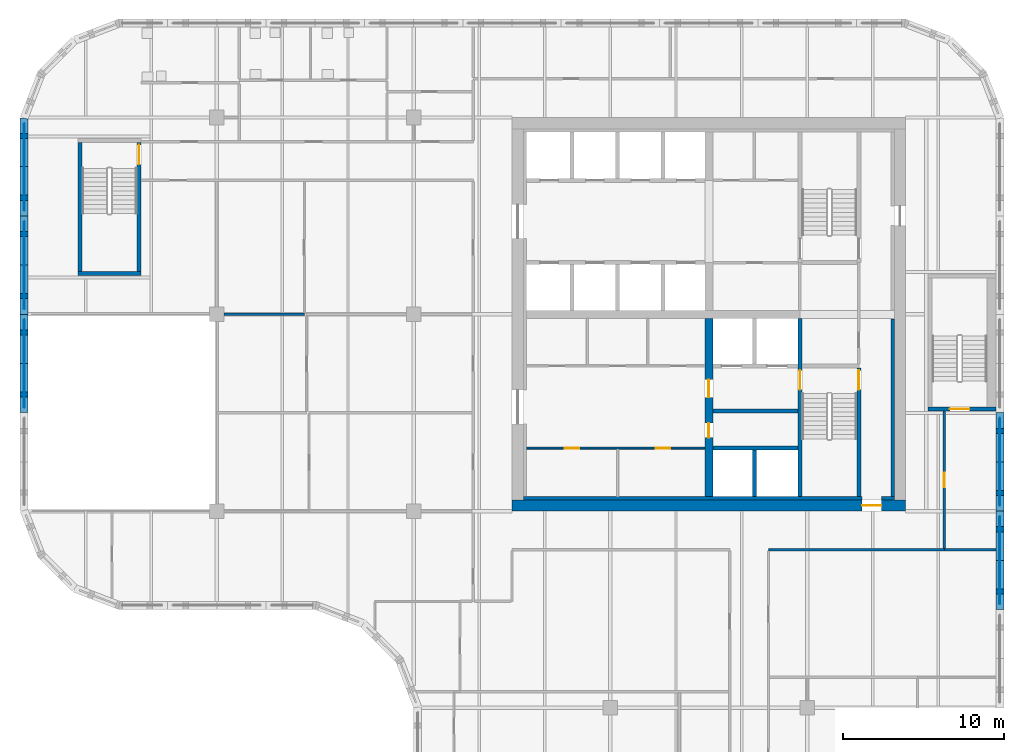
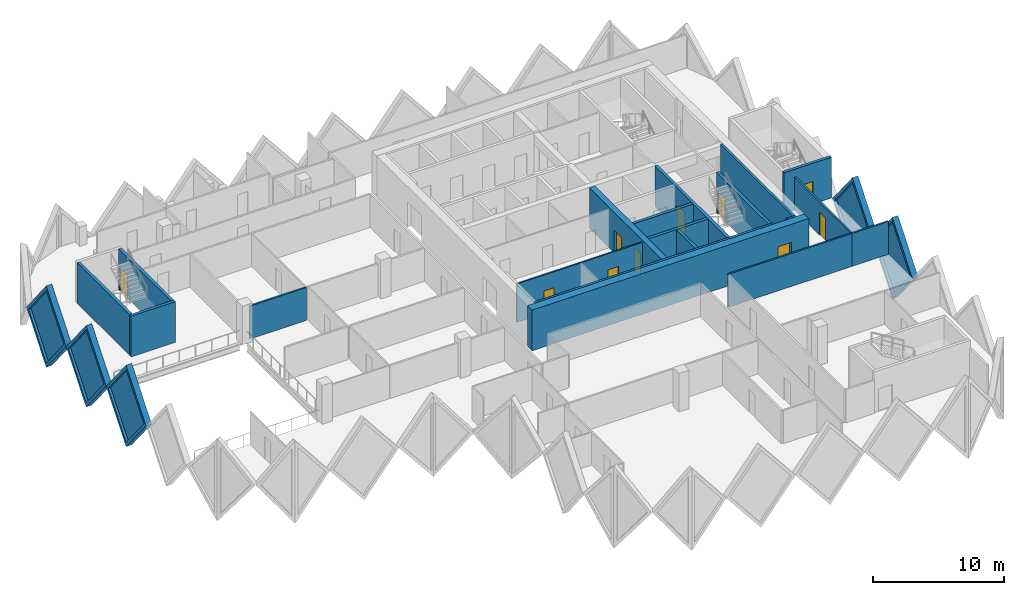
# One storey, part 6 of 13: 24 walls, 10 doors, 5 plates, 15 openings.
"""IFC4 building model written with IfcOpenShell, lengths in metres."""

from ifc_helpers import new_model, si_unit, direction, frame, frame_2d, origin, place, context, subcontext, project, spatial, polyline, rectangle, outline, extrude, faceted_brep, source, transform, mapped, material, layer, layer_set, type_object, element, fill, save


model = new_model("IFC4")

# Units and contexts
model_context = context("Model", 3, precision=1e-05, world=origin(), true_north=direction((0.0, 1.0)))
body_context = subcontext(model_context, "Body", "Model", "MODEL_VIEW")
ifc_project = project(units=[si_unit("LENGTHUNIT", "METRE"), si_unit("AREAUNIT", "SQUARE_METRE"), si_unit("VOLUMEUNIT", "CUBIC_METRE"), si_unit("PLANEANGLEUNIT", "RADIAN"), si_unit("MASSUNIT", "GRAM", prefix="KILO")], contexts=[model_context])

# Site, building, storey
site_placement = place(None, origin())
site = spatial("IfcSite", under=ifc_project, at=site_placement, CompositionType="ELEMENT")
building_placement = place(site_placement, origin())
building = spatial("IfcBuilding", under=site, at=building_placement, Name="Tessera Gate Towers", CompositionType="ELEMENT")
storey_placement = place(building_placement, frame((0.0, 0.0, 120.199951171875)))
storey = spatial("IfcBuildingStorey", under=building, at=storey_placement, Name="L29", CompositionType="ELEMENT", Elevation=120.199951171875)

# Wall, opening, door
ifc_material_1 = material(Name="Concrete C40/50", Category="concrete")
ifc_layer_1 = layer(ifc_material_1, 0.25)
ifc_layer_set_1 = layer_set([ifc_layer_1], Name="CORE ENCLOSURE WALL 250")
wall_type_1 = type_object("IfcWallType", Name="CORE ENCLOSURE WALL 250", PredefinedType="SOLIDWALL", material=ifc_layer_set_1)
wall_1_placement = place(storey_placement, frame((48.35009765625, 36.35009765625, 0.0), z_axis=(0.0, 0.0, 1.0), x_axis=(0.0, -1.0, 0.0)))
wall_1 = element("IfcWall", 1, at=wall_1_placement, inside=storey, type_object=wall_type_1, Name="L29 shaft and stair enclosure wall", PredefinedType="SOLIDWALL", context=body_context, shape_type="SweptSolid", body=[
    extrude(rectangle(XDim=11.050048828125, YDim=0.25, at=frame_2d((5.52490234375, 0.0))), origin(), (0.0, 0.0, 1.0), 3.800048828125),
])
shared_shape_1 = source(origin(), body_context, "Body", "SweptSolid", [
    extrude(rectangle(XDim=1.199951171875, YDim=2.10009765625, at=frame_2d((0.60009765625, 1.050048828125))), frame((0.0, 0.135009765625, 0.0), z_axis=(0.0, -1.0, 0.0), x_axis=(1.0, 0.0, 0.0)), (0.0, 0.0, 1.0), 0.27001953125),
])
opening_1_placement = place(wall_1_placement, frame((3.22509765625, 0.0, 0.0)))
opening_1 = element("IfcOpeningElement", 2, at=opening_1_placement, cuts=wall_1, Name="Opening SD-ST1-1", PredefinedType="OPENING", context=body_context, shape_type="MappedRepresentation", body=[
    mapped(shared_shape_1, transform((0.0, 0.0, 0.0), scale=1.0)),
])
ifc_material_2 = material(Name="Hollow steel fire door", Category="steel")
door_type_1 = type_object("IfcDoorType", Name="CORE DOOR SD 1200x2100", OperationType="NOTDEFINED", PredefinedType="DOOR", material=ifc_material_2)
shared_shape_2 = source(origin(), body_context, "Body", "SweptSolid", [
    extrude(rectangle(XDim=1.199951171875, YDim=2.10009765625, at=frame_2d((0.60009765625, 1.050048828125))), frame((0.0, 0.02490234375, 0.0), z_axis=(0.0, -1.0, 0.0), x_axis=(1.0, 0.0, 0.0)), (0.0, 0.0, 1.0), 0.050048828125),
])
door_1_placement = place(opening_1_placement, origin())
door_1 = element("IfcDoor", 3, at=door_1_placement, inside=storey, type_object=door_type_1, Name="Stair door", OperationType="SINGLE_SWING_LEFT", OverallHeight=2.10009765625, OverallWidth=1.199951171875, PredefinedType="DOOR", context=body_context, shape_type="MappedRepresentation", body=[
    mapped(shared_shape_2, transform((0.0, 0.0, 0.0), scale=1.0)),
])
fill(opening_1, door_1)

wall_2_placement = place(storey_placement, frame((52.0, 25.300048828125, 0.0), z_axis=(0.0, 0.0, 1.0), x_axis=(0.0, 1.0, 0.0)))
wall_2 = element("IfcWall", 4, at=wall_2_placement, inside=storey, type_object=wall_type_1, Name="L29 shaft and stair enclosure wall", PredefinedType="SOLIDWALL", context=body_context, shape_type="SweptSolid", body=[
    extrude(rectangle(XDim=7.974853515625, YDim=0.25, at=frame_2d((3.9873046875, 0.0))), origin(), (0.0, 0.0, 1.0), 3.800048828125),
])
opening_2_placement = place(wall_2_placement, frame((6.625, 0.0, 0.0)))
opening_2 = element("IfcOpeningElement", 5, at=opening_2_placement, cuts=wall_2, Name="Opening SD-ST1-2", PredefinedType="OPENING", context=body_context, shape_type="MappedRepresentation", body=[
    mapped(shared_shape_1, transform((0.0, 0.0, 0.0), scale=1.0)),
])
door_2_placement = place(opening_2_placement, origin())
door_2 = element("IfcDoor", 6, at=door_2_placement, inside=storey, type_object=door_type_1, Name="Stair door", OperationType="SINGLE_SWING_RIGHT", OverallHeight=2.10009765625, OverallWidth=1.199951171875, PredefinedType="DOOR", context=body_context, shape_type="MappedRepresentation", body=[
    mapped(shared_shape_2, transform((0.0, 0.0, 0.0), scale=1.0)),
])
fill(opening_2, door_2)

# Walls
for number, where, z_axis, x_axis, name in (
    (7, (42.949951171875, 28.300048828125, 0.0), (0.0, 0.0, 1.0), (1.0, 0.0, 0.0), "L29 shaft and stair enclosure wall"),
    (8, (42.949951171875, 30.60009765625, 0.0), (0.0, 0.0, 1.0), (1.0, 0.0, 0.0), "L29 shaft and stair enclosure wall"),
):
    element("IfcWall", number, at=place(storey_placement, frame(where, z_axis=z_axis, x_axis=x_axis)), inside=storey, type_object=wall_type_1, Name=name, PredefinedType="SOLIDWALL", context=body_context, shape_type="SweptSolid", body=[
        extrude(rectangle(XDim=5.275146484375, YDim=0.25, at=frame_2d((2.6376953125, 0.0))), origin(), (0.0, 0.0, 1.0), 3.800048828125),
    ])
wall_3_placement = place(storey_placement, frame((45.52490234375, 25.300048828125, 0.0), z_axis=(0.0, 0.0, 1.0), x_axis=(0.0, 1.0, 0.0)))
element("IfcWall", 9, at=wall_3_placement, inside=storey, type_object=wall_type_1, Name="L29 shaft and stair enclosure wall", PredefinedType="SOLIDWALL", context=body_context, shape_type="SweptSolid", body=[
    extrude(rectangle(XDim=2.875, YDim=0.25, at=frame_2d((1.4375, 0.0))), origin(), (0.0, 0.0, 1.0), 3.800048828125),
])
wall_4_placement = place(storey_placement, frame((7.5, 39.125, 0.0), z_axis=(0.0, 0.0, 1.0), x_axis=(-1.0, 0.0, 0.0)))
element("IfcWall", 10, at=wall_4_placement, inside=storey, type_object=wall_type_1, Name="L29 ST3 enclosure wall", PredefinedType="SOLIDWALL", context=body_context, shape_type="SweptSolid", body=[
    extrude(rectangle(XDim=3.89990234375, YDim=0.25, at=frame_2d((1.949951171875, 0.0))), origin(), (0.0, 0.0, 1.0), 3.800048828125),
])
wall_5_placement = place(storey_placement, frame((3.72509765625, 39.25, 0.0), z_axis=(0.0, 0.0, 1.0), x_axis=(0.0, 1.0, 0.0)))
element("IfcWall", 11, at=wall_5_placement, inside=storey, type_object=wall_type_1, Name="L29 ST3 enclosure wall", PredefinedType="SOLIDWALL", context=body_context, shape_type="SweptSolid", body=[
    extrude(rectangle(XDim=8.0, YDim=0.25, at=frame_2d((4.0, 0.0))), origin(), (0.0, 0.0, 1.0), 3.800048828125),
])

# Wall, opening, door
wall_6_placement = place(storey_placement, frame((7.375, 47.25, 0.0), z_axis=(0.0, 0.0, 1.0), x_axis=(0.0, -1.0, 0.0)))
wall_6 = element("IfcWall", 12, at=wall_6_placement, inside=storey, type_object=wall_type_1, Name="L29 ST3 enclosure wall", PredefinedType="SOLIDWALL", context=body_context, shape_type="SweptSolid", body=[
    extrude(rectangle(XDim=8.0, YDim=0.25, at=frame_2d((4.0, 0.0))), origin(), (0.0, 0.0, 1.0), 3.800048828125),
])
opening_3_placement = place(wall_6_placement, frame((0.14990234375, 0.0, 0.0)))
opening_3 = element("IfcOpeningElement", 13, at=opening_3_placement, cuts=wall_6, Name="Opening SD-ST3-1", PredefinedType="OPENING", context=body_context, shape_type="MappedRepresentation", body=[
    mapped(shared_shape_1, transform((0.0, 0.0, 0.0), scale=1.0)),
])
door_3_placement = place(opening_3_placement, origin())
door_3 = element("IfcDoor", 14, at=door_3_placement, inside=storey, type_object=door_type_1, Name="Stair door", OperationType="SINGLE_SWING_LEFT", OverallHeight=2.10009765625, OverallWidth=1.199951171875, PredefinedType="DOOR", context=body_context, shape_type="MappedRepresentation", body=[
    mapped(shared_shape_2, transform((0.0, 0.0, 0.0), scale=1.0)),
])
fill(opening_3, door_3)

wall_7_placement = place(storey_placement, frame((60.5, 30.72509765625, 0.0), z_axis=(0.0, 0.0, 1.0), x_axis=(-1.0, 0.0, 0.0)))
wall_7 = element("IfcWall", 15, at=wall_7_placement, inside=storey, type_object=wall_type_1, Name="L29 ST5 enclosure wall", PredefinedType="SOLIDWALL", context=body_context, shape_type="SweptSolid", body=[
    extrude(rectangle(XDim=4.199951171875, YDim=0.25, at=frame_2d((2.10009765625, 0.0))), origin(), (0.0, 0.0, 1.0), 3.800048828125),
])
opening_4_placement = place(wall_7_placement, frame((1.64990234375, 0.0, 0.0)))
opening_4 = element("IfcOpeningElement", 16, at=opening_4_placement, cuts=wall_7, Name="Opening SD-ST5-1", PredefinedType="OPENING", context=body_context, shape_type="MappedRepresentation", body=[
    mapped(shared_shape_1, transform((0.0, 0.0, 0.0), scale=1.0)),
])
door_4_placement = place(opening_4_placement, origin())
door_4 = element("IfcDoor", 17, at=door_4_placement, inside=storey, type_object=door_type_1, Name="Stair door", OperationType="SINGLE_SWING_RIGHT", OverallHeight=2.10009765625, OverallWidth=1.199951171875, PredefinedType="DOOR", context=body_context, shape_type="MappedRepresentation", body=[
    mapped(shared_shape_2, transform((0.0, 0.0, 0.0), scale=1.0)),
])
fill(opening_4, door_4)

# Wall, openings, doors
ifc_material_3 = material(Name="Gypsum board on steel studs", Category="steel")
ifc_layer_2 = layer(ifc_material_3, 0.1201171875)
ifc_layer_set_2 = layer_set([ifc_layer_2], Name="CORE PARTITION 120")
wall_type_2 = type_object("IfcWallType", Name="CORE PARTITION 120", PredefinedType="PARTITIONING", material=ifc_layer_set_2)
wall_8_placement = place(storey_placement, frame((42.449951171875, 28.300048828125, 0.0), z_axis=(0.0, 0.0, 1.0), x_axis=(-1.0, 0.0, 0.0)))
wall_8 = element("IfcWall", 18, at=wall_8_placement, inside=storey, type_object=wall_type_2, Name="L29 core partition", PredefinedType="PARTITIONING", context=body_context, shape_type="SweptSolid", body=[
    extrude(rectangle(XDim=11.050048828125, YDim=0.1201171875, at=frame_2d((5.52490234375, 0.0))), origin(), (0.0, 0.0, 1.0), 3.60009765625),
])
shared_shape_3 = source(origin(), body_context, "Body", "SweptSolid", [
    extrude(rectangle(XDim=0.89990234375, YDim=2.10009765625, at=frame_2d((0.449951171875, 1.050048828125))), frame((0.0, 0.070068359375, 0.0), z_axis=(0.0, -1.0, 0.0), x_axis=(1.0, 0.0, 0.0)), (0.0, 0.0, 1.0), 0.14013671875),
])
opening_5_placement = place(wall_8_placement, frame((7.77490234375, 0.0, 0.0)))
opening_5 = element("IfcOpeningElement", 19, at=opening_5_placement, cuts=wall_8, Name="Opening RD-T1-21-07", PredefinedType="OPENING", context=body_context, shape_type="MappedRepresentation", body=[
    mapped(shared_shape_3, transform((0.0, 0.0, 0.0), scale=1.0)),
])
opening_6_placement = place(wall_8_placement, frame((2.125, 0.0, 0.0)))
opening_6 = element("IfcOpeningElement", 20, at=opening_6_placement, cuts=wall_8, Name="Opening RD-T1-21-08", PredefinedType="OPENING", context=body_context, shape_type="MappedRepresentation", body=[
    mapped(shared_shape_3, transform((0.0, 0.0, 0.0), scale=1.0)),
])
ifc_material_4 = material(Name="Hollow steel fire door", Category="steel")
door_type_2 = type_object("IfcDoorType", Name="CORE DOOR RD 900x2100", OperationType="NOTDEFINED", PredefinedType="DOOR", material=ifc_material_4)
shared_shape_4 = source(origin(), body_context, "Body", "SweptSolid", [
    extrude(rectangle(XDim=0.89990234375, YDim=2.10009765625, at=frame_2d((0.449951171875, 1.050048828125))), frame((0.0, 0.02490234375, 0.0), z_axis=(0.0, -1.0, 0.0), x_axis=(1.0, 0.0, 0.0)), (0.0, 0.0, 1.0), 0.050048828125),
])
door_5_placement = place(opening_5_placement, origin())
door_5 = element("IfcDoor", 21, at=door_5_placement, inside=storey, type_object=door_type_2, Name="Core room door", OperationType="SINGLE_SWING_RIGHT", OverallHeight=2.10009765625, OverallWidth=0.89990234375, PredefinedType="DOOR", context=body_context, shape_type="MappedRepresentation", body=[
    mapped(shared_shape_4, transform((0.0, 0.0, 0.0), scale=1.0)),
])
fill(opening_5, door_5)
door_6_placement = place(opening_6_placement, origin())
door_6 = element("IfcDoor", 22, at=door_6_placement, inside=storey, type_object=door_type_2, Name="Core room door", OperationType="SINGLE_SWING_LEFT", OverallHeight=2.10009765625, OverallWidth=0.89990234375, PredefinedType="DOOR", context=body_context, shape_type="MappedRepresentation", body=[
    mapped(shared_shape_4, transform((0.0, 0.0, 0.0), scale=1.0)),
])
fill(opening_6, door_6)

# Wall, opening, door
ifc_material_5 = material(Name="Concrete C60/75", Category="concrete")
ifc_layer_3 = layer(ifc_material_5, 0.699951171875)
ifc_layer_set_3 = layer_set([ifc_layer_3], Name="CORE SHEAR WALL 700 C60/75")
wall_type_3 = type_object("IfcWallType", Name="CORE SHEAR WALL 700 C60/75", PredefinedType="SHEAR", material=ifc_layer_set_3)
wall_9_placement = place(storey_placement, frame((54.89990234375, 24.75, 0.0), z_axis=(0.0, 0.0, 1.0), x_axis=(-1.0, 0.0, 0.0)))
wall_9 = element("IfcWall", 23, at=wall_9_placement, inside=storey, type_object=wall_type_3, Name="Core wall S L29", PredefinedType="SHEAR", context=body_context, shape_type="SweptSolid", body=[
    extrude(rectangle(XDim=24.39990234375, YDim=0.699951171875, at=frame_2d((12.199951171875, 0.0))), origin(), (0.0, 0.0, 1.0), 3.800048828125),
])
shared_shape_5 = source(origin(), body_context, "Body", "SweptSolid", [
    extrude(rectangle(XDim=1.199951171875, YDim=2.10009765625, at=frame_2d((0.60009765625, 1.050048828125))), frame((0.0, 0.35986328125, 0.0), z_axis=(0.0, -1.0, 0.0), x_axis=(1.0, 0.0, 0.0)), (0.0, 0.0, 1.0), 0.719970703125),
])
opening_7_placement = place(wall_9_placement, frame((1.5, 0.0, 0.0)))
opening_7 = element("IfcOpeningElement", 24, at=opening_7_placement, cuts=wall_9, Name="Opening ED-T1-21-01", PredefinedType="OPENING", context=body_context, shape_type="MappedRepresentation", body=[
    mapped(shared_shape_5, transform((0.0, 0.0, 0.0), scale=1.0)),
])
ifc_material_6 = material(Name="Hollow steel fire door", Category="steel")
door_type_3 = type_object("IfcDoorType", Name="CORE DOOR ED 1200x2100", OperationType="NOTDEFINED", PredefinedType="DOOR", material=ifc_material_6)
door_7_placement = place(opening_7_placement, origin())
door_7 = element("IfcDoor", 25, at=door_7_placement, inside=storey, type_object=door_type_3, Name="Core exit door", OperationType="SINGLE_SWING_LEFT", OverallHeight=2.10009765625, OverallWidth=1.199951171875, PredefinedType="DOOR", context=body_context, shape_type="MappedRepresentation", body=[
    mapped(shared_shape_2, transform((0.0, 0.0, 0.0), scale=1.0)),
])
fill(opening_7, door_7)

# Wall, openings, doors
ifc_material_7 = material(Name="Concrete C60/75", Category="concrete")
ifc_layer_4 = layer(ifc_material_7, 0.5)
ifc_layer_set_4 = layer_set([ifc_layer_4], Name="CORE SPINE WALL 500 C60/75")
wall_type_4 = type_object("IfcWallType", Name="CORE SPINE WALL 500 C60/75", PredefinedType="SHEAR", material=ifc_layer_set_4)
wall_10_placement = place(storey_placement, frame((42.699951171875, 36.35009765625, 0.0), z_axis=(0.0, 0.0, 1.0), x_axis=(0.0, -1.0, 0.0)))
wall_10 = element("IfcWall", 26, at=wall_10_placement, inside=storey, type_object=wall_type_4, Name="Core wall spine L29", PredefinedType="SHEAR", context=body_context, shape_type="SweptSolid", body=[
    extrude(rectangle(XDim=11.050048828125, YDim=0.5, at=frame_2d((5.52490234375, 0.0))), origin(), (0.0, 0.0, 1.0), 3.800048828125),
])
shared_shape_6 = source(origin(), body_context, "Body", "SweptSolid", [
    extrude(rectangle(XDim=0.89990234375, YDim=2.10009765625, at=frame_2d((0.449951171875, 1.050048828125))), frame((0.0, 0.260009765625, 0.0), z_axis=(0.0, -1.0, 0.0), x_axis=(1.0, 0.0, 0.0)), (0.0, 0.0, 1.0), 0.52001953125),
])
opening_8_placement = place(wall_10_placement, frame((6.5, 0.0, 0.0)))
opening_8 = element("IfcOpeningElement", 27, at=opening_8_placement, cuts=wall_10, Name="Opening RD-T1-21-05", PredefinedType="OPENING", context=body_context, shape_type="MappedRepresentation", body=[
    mapped(shared_shape_6, transform((0.0, 0.0, 0.0), scale=1.0)),
])
shared_shape_7 = source(origin(), body_context, "Body", "SweptSolid", [
    extrude(rectangle(XDim=1.10009765625, YDim=2.10009765625, at=frame_2d((0.550048828125, 1.050048828125))), frame((0.0, 0.260009765625, 0.0), z_axis=(0.0, -1.0, 0.0), x_axis=(1.0, 0.0, 0.0)), (0.0, 0.0, 1.0), 0.52001953125),
])
opening_9_placement = place(wall_10_placement, frame((3.800048828125, 0.0, 0.0)))
opening_9 = element("IfcOpeningElement", 28, at=opening_9_placement, cuts=wall_10, Name="Opening FD-T1-21-06", PredefinedType="OPENING", context=body_context, shape_type="MappedRepresentation", body=[
    mapped(shared_shape_7, transform((0.0, 0.0, 0.0), scale=1.0)),
])
door_8_placement = place(opening_8_placement, origin())
door_8 = element("IfcDoor", 29, at=door_8_placement, inside=storey, type_object=door_type_2, Name="Core room door", OperationType="SINGLE_SWING_RIGHT", OverallHeight=2.10009765625, OverallWidth=0.89990234375, PredefinedType="DOOR", context=body_context, shape_type="MappedRepresentation", body=[
    mapped(shared_shape_4, transform((0.0, 0.0, 0.0), scale=1.0)),
])
fill(opening_8, door_8)
ifc_material_8 = material(Name="Hollow steel fire door", Category="steel")
door_type_4 = type_object("IfcDoorType", Name="CORE DOOR FD 1100x2100", OperationType="NOTDEFINED", PredefinedType="DOOR", material=ifc_material_8)
shared_shape_8 = source(origin(), body_context, "Body", "SweptSolid", [
    extrude(rectangle(XDim=1.10009765625, YDim=2.10009765625, at=frame_2d((0.550048828125, 1.050048828125))), frame((0.0, 0.02490234375, 0.0), z_axis=(0.0, -1.0, 0.0), x_axis=(1.0, 0.0, 0.0)), (0.0, 0.0, 1.0), 0.050048828125),
])
door_9_placement = place(opening_9_placement, origin())
door_9 = element("IfcDoor", 30, at=door_9_placement, inside=storey, type_object=door_type_4, Name="Fire-fighting lobby door", OperationType="SINGLE_SWING_LEFT", OverallHeight=2.10009765625, OverallWidth=1.10009765625, PredefinedType="DOOR", context=body_context, shape_type="MappedRepresentation", body=[
    mapped(shared_shape_8, transform((0.0, 0.0, 0.0), scale=1.0)),
])
fill(opening_9, door_9)

# Walls
ifc_material_9 = material(Name="Concrete C60/75", Category="concrete")
ifc_layer_5 = layer(ifc_material_9, 0.199951171875)
ifc_layer_set_5 = layer_set([ifc_layer_5], Name="CORE WALL THICKENING 200")
wall_type_5 = type_object("IfcWallType", Name="CORE WALL THICKENING 200", PredefinedType="SOLIDWALL", material=ifc_layer_set_5)
wall_11_placement = place(storey_placement, frame((31.199951171875, 25.199951171875, 0.0), z_axis=(0.0, 0.0, 1.0), x_axis=(1.0, 0.0, 0.0)))
element("IfcWall", 31, at=wall_11_placement, inside=storey, type_object=wall_type_5, Name="Core wall thickening S L29", PredefinedType="SOLIDWALL", context=body_context, shape_type="SweptSolid", body=[
    extrude(rectangle(XDim=21.0, YDim=0.199951171875, at=frame_2d((10.5, 0.0))), origin(), (0.0, 0.0, 1.0), 3.800048828125),
])
wall_12_placement = place(storey_placement, frame((53.39990234375, 25.199951171875, 0.0), z_axis=(0.0, 0.0, 1.0), x_axis=(1.0, 0.0, 0.0)))
element("IfcWall", 32, at=wall_12_placement, inside=storey, type_object=wall_type_5, Name="Core wall thickening S L29", PredefinedType="SOLIDWALL", context=body_context, shape_type="SweptSolid", body=[
    extrude(rectangle(XDim=0.800048828125, YDim=0.199951171875, at=frame_2d((0.39990234375, 0.0))), origin(), (0.0, 0.0, 1.0), 3.800048828125),
])
wall_13_placement = place(storey_placement, frame((54.10009765625, 25.300048828125, 0.0), z_axis=(0.0, 0.0, 1.0), x_axis=(0.0, 1.0, 0.0)))
element("IfcWall", 33, at=wall_13_placement, inside=storey, type_object=wall_type_5, Name="Core wall thickening E L29", PredefinedType="SOLIDWALL", context=body_context, shape_type="SweptSolid", body=[
    extrude(rectangle(XDim=11.02001953125, YDim=0.199951171875, at=frame_2d((5.510009765625, 0.0))), origin(), (0.0, 0.0, 1.0), 3.800048828125),
])
ifc_material_10 = material(Name="Gypsum board on steel studs, mineral wool", Category="steel")
ifc_layer_6 = layer(ifc_material_10, 0.14990234375)
ifc_layer_set_6 = layer_set([ifc_layer_6], Name="CORRIDOR WALL 150")
wall_type_6 = type_object("IfcWallType", Name="CORRIDOR WALL 150", PredefinedType="PARTITIONING", material=ifc_layer_set_6)
wall_14_placement = place(storey_placement, frame((46.39990234375, 22.0, 0.0), z_axis=(0.0, 0.0, 1.0), x_axis=(1.0, 0.0, 0.0)))
element("IfcWall", 34, at=wall_14_placement, inside=storey, type_object=wall_type_6, Name="T1-L29-PW-026", PredefinedType="PARTITIONING", context=body_context, shape_type="SweptSolid", body=[
    extrude(rectangle(XDim=10.900146484375, YDim=0.14990234375, at=frame_2d((5.4501953125, 0.0))), origin(), (0.0, 0.0, 1.0), 3.067138671875),
])

# Wall, opening, door
wall_15_placement = place(storey_placement, frame((57.300048828125, 30.60009765625, 0.0), z_axis=(0.0, 0.0, 1.0), x_axis=(0.0, -1.0, 0.0)))
wall_15 = element("IfcWall", 35, at=wall_15_placement, inside=storey, type_object=wall_type_6, Name="T1-L29-PW-028", PredefinedType="PARTITIONING", context=body_context, shape_type="SweptSolid", body=[
    extrude(rectangle(XDim=8.524169921875, YDim=0.14990234375, at=frame_2d((4.26220703125, 0.0))), origin(), (0.0, 0.0, 1.0), 3.067138671875),
])
shared_shape_9 = source(origin(), body_context, "Body", "SweptSolid", [
    extrude(rectangle(XDim=0.89990234375, YDim=2.10009765625, at=frame_2d((0.449951171875, 1.050048828125))), frame((0.0, 0.0849609375, 0.0), z_axis=(0.0, -1.0, 0.0), x_axis=(1.0, 0.0, 0.0)), (0.0, 0.0, 1.0), 0.169921875),
])
opening_10_placement = place(wall_15_placement, frame((3.823974609375, 0.0, 0.0)))
opening_10 = element("IfcOpeningElement", 36, at=opening_10_placement, cuts=wall_15, Name="Opening D890FD60-A10-05", PredefinedType="OPENING", context=body_context, shape_type="MappedRepresentation", body=[
    mapped(shared_shape_9, transform((0.0, 0.0, 0.0), scale=1.0)),
])
ifc_material_11 = material(Name="Timber door leaf in steel frame", Category="steel")
door_type_5 = type_object("IfcDoorType", Name="CORRIDOR DOOR 900 FD60", OperationType="NOTDEFINED", PredefinedType="DOOR", material=ifc_material_11)
door_10_placement = place(opening_10_placement, origin())
door_10 = element("IfcDoor", 37, at=door_10_placement, inside=storey, type_object=door_type_5, Name="T1-L29-PD-021", OperationType="SINGLE_SWING_RIGHT", OverallHeight=2.10009765625, OverallWidth=0.89990234375, PredefinedType="DOOR", context=body_context, shape_type="MappedRepresentation", body=[
    mapped(shared_shape_4, transform((0.0, 0.0, 0.0), scale=1.0)),
])
fill(opening_10, door_10)

# Walls
ifc_material_12 = material(Name="Gypsum board on steel studs, mineral wool", Category="steel")
ifc_layer_7 = layer(ifc_material_12, 0.14990234375)
ifc_layer_set_7 = layer_set([ifc_layer_7], Name="TENANCY WALL 150")
wall_type_7 = type_object("IfcWallType", Name="TENANCY WALL 150", PredefinedType="PARTITIONING", material=ifc_layer_set_7)
wall_16_placement = place(storey_placement, frame((57.301025390625, 22.0, 0.0), z_axis=(0.0, 0.0, 1.0), x_axis=(1.0, 0.0, 0.0)))
element("IfcWall", 38, at=wall_16_placement, inside=storey, type_object=wall_type_7, Name="T1-L29-PW-027", PredefinedType="PARTITIONING", context=body_context, shape_type="SweptSolid", body=[
    extrude(rectangle(XDim=3.198974609375, YDim=0.14990234375, at=frame_2d((1.599609375, 0.0))), origin(), (0.0, 0.0, 1.0), 3.067138671875),
])
wall_17_placement = place(storey_placement, frame((12.65087890625, 36.60009765625, 0.0), z_axis=(0.0, 0.0, 1.0), x_axis=(1.0, 0.0, 0.0)))
element("IfcWall", 39, at=wall_17_placement, inside=storey, type_object=wall_type_7, Name="T1-L29-PW-036", PredefinedType="PARTITIONING", context=body_context, shape_type="SweptSolid", body=[
    extrude(rectangle(XDim=4.97412109375, YDim=0.14990234375, at=frame_2d((2.487060546875, 0.0))), origin(), (0.0, 0.0, 1.0), 3.067138671875),
])

# Wall, opening, plate
ifc_material_13 = material(Name="Precast concrete C60/75 white", Category="concrete")
ifc_layer_8 = layer(ifc_material_13, 0.5)
ifc_layer_set_8 = layer_set([ifc_layer_8], Name="TS1 tessera")
wall_type_8 = type_object("IfcWallType", Name="TS1 tessera", PredefinedType="SOLIDWALL", material=ifc_layer_set_8)
shared_shape_10 = source(origin(), body_context, "Body", "Brep", [
    faceted_brep([(3.00341796875, -0.25, 0.0), (6.053466796875, -0.25, 3.800048828125), (3.00341796875, -0.25, 7.60009765625), (0.0, -0.25, 3.800048828125), (0.046630859375, 0.25, 3.85888671875), (3.00341796875, 0.25, 7.60009765625), (6.053466796875, 0.25, 3.800048828125), (3.00341796875, 0.25, 0.0), (0.046630859375, 0.25, 3.7412109375), (0.0, 0.0, 3.800048828125)], [[[0, 1, 2, 3]], [[4, 5, 6, 7, 8]], [[7, 6, 1, 0]], [[6, 5, 2, 1]], [[5, 4, 9, 3, 2]], [[8, 7, 0, 3, 9]], [[8, 9, 4]]]),
])
wall_18_placement = place(storey_placement, frame((0.25, 48.75341796875, -3.800048828125), z_axis=(0.0, 0.0, 1.0), x_axis=(0.0, -1.0, 0.0)))
wall_18 = element("IfcWall", 40, at=wall_18_placement, inside=storey, type_object=wall_type_8, Name="Precast tessera T1 TS1-0477", PredefinedType="SOLIDWALL", context=body_context, shape_type="MappedRepresentation", body=[
    mapped(shared_shape_10, transform((0.0, 0.0, 0.0), scale=1.0)),
])
shared_shape_11 = source(origin(), body_context, "Body", "SweptSolid", [
    extrude(outline(polyline([(3.0048828125, 0.4013671875), (5.73291015625, 3.800048828125), (3.0048828125, 7.19873046875), (0.318603515625, 3.800048828125), (3.0048828125, 0.4013671875)])), frame((0.0, 0.260009765625, 0.0), z_axis=(0.0, -1.0, 0.0), x_axis=(1.0, 0.0, 0.0)), (0.0, 0.0, 1.0), 0.52001953125),
])
opening_11_placement = place(wall_18_placement, origin())
opening_11 = element("IfcOpeningElement", 41, at=opening_11_placement, cuts=wall_18, Name="Opening T1-PL2-0971", PredefinedType="OPENING", context=body_context, shape_type="MappedRepresentation", body=[
    mapped(shared_shape_11, transform((0.0, 0.0, 0.0), scale=1.0)),
])
ifc_material_14 = material(Name="Low-e laminated glass", Category="glass")
ifc_layer_9 = layer(ifc_material_14, 0.06005859375)
ifc_layer_set_9 = layer_set([ifc_layer_9], Name="PL2 rhombic pane")
plate_type = type_object("IfcPlateType", Name="PL2 rhombic pane", PredefinedType="SHEET", material=ifc_layer_set_9)
shared_shape_12 = source(origin(), body_context, "Body", "SweptSolid", [
    extrude(outline(polyline([(3.0048828125, 0.4013671875), (5.73291015625, 3.800048828125), (3.0048828125, 7.19873046875), (0.318603515625, 3.800048828125), (3.0048828125, 0.4013671875)])), frame((0.0, 0.030029296875, 0.0), z_axis=(0.0, -1.0, 0.0), x_axis=(1.0, 0.0, 0.0)), (0.0, 0.0, 1.0), 0.06005859375),
])
plate_1_placement = place(opening_11_placement, origin())
plate_1 = element("IfcPlate", 42, at=plate_1_placement, inside=storey, type_object=plate_type, Name="Glass pane T1 PL2-0971", PredefinedType="SHEET", context=body_context, shape_type="MappedRepresentation", body=[
    mapped(shared_shape_12, transform((0.0, 0.0, 0.0), scale=1.0)),
])
fill(opening_11, plate_1)

shared_shape_13 = source(origin(), body_context, "Body", "Brep", [
    faceted_brep([(3.050048828125, -0.25, 0.0), (6.099853515625, -0.25, 3.7998046875), (6.099853515625, -0.25, 3.80029296875), (3.050048828125, -0.25, 7.60009765625), (0.0, -0.25, 3.800048828125), (0.0, 0.25, 3.800048828125), (3.050048828125, 0.25, 7.60009765625), (6.099853515625, 0.25, 3.80029296875), (6.099853515625, 0.25, 3.7998046875), (3.050048828125, 0.25, 0.0)], [[[0, 1, 2, 3, 4]], [[5, 6, 7, 8, 9]], [[9, 8, 1, 0]], [[7, 6, 3, 2]], [[6, 5, 4, 3]], [[5, 9, 0, 4]], [[1, 8, 7, 2]]]),
])
wall_19_placement = place(storey_placement, frame((60.75, 18.300048828125, -3.800048828125), z_axis=(0.0, 0.0, 1.0), x_axis=(0.0, 1.0, 0.0)))
wall_19 = element("IfcWall", 43, at=wall_19_placement, inside=storey, type_object=wall_type_8, Name="Precast tessera T1 TS1-0465", PredefinedType="SOLIDWALL", context=body_context, shape_type="MappedRepresentation", body=[
    mapped(shared_shape_13, transform((0.0, 0.0, 0.0), scale=1.0)),
])
shared_shape_14 = source(origin(), body_context, "Body", "SweptSolid", [
    extrude(outline(polyline([(3.050048828125, 0.3994140625), (5.779541015625, 3.800048828125), (3.050048828125, 7.20068359375), (0.320556640625, 3.800048828125), (3.050048828125, 0.3994140625)])), frame((0.0, 0.260009765625, 0.0), z_axis=(0.0, -1.0, 0.0), x_axis=(1.0, 0.0, 0.0)), (0.0, 0.0, 1.0), 0.52001953125),
])
opening_12_placement = place(wall_19_placement, origin())
opening_12 = element("IfcOpeningElement", 44, at=opening_12_placement, cuts=wall_19, Name="Opening T1-PL2-0951", PredefinedType="OPENING", context=body_context, shape_type="MappedRepresentation", body=[
    mapped(shared_shape_14, transform((0.0, 0.0, 0.0), scale=1.0)),
])
shared_shape_15 = source(origin(), body_context, "Body", "SweptSolid", [
    extrude(outline(polyline([(3.050048828125, 0.3994140625), (5.779541015625, 3.800048828125), (3.050048828125, 7.20068359375), (0.320556640625, 3.800048828125), (3.050048828125, 0.3994140625)])), frame((0.0, 0.030029296875, 0.0), z_axis=(0.0, -1.0, 0.0), x_axis=(1.0, 0.0, 0.0)), (0.0, 0.0, 1.0), 0.06005859375),
])
plate_2_placement = place(opening_12_placement, origin())
plate_2 = element("IfcPlate", 45, at=plate_2_placement, inside=storey, type_object=plate_type, Name="Glass pane T1 PL2-0951", PredefinedType="SHEET", context=body_context, shape_type="MappedRepresentation", body=[
    mapped(shared_shape_15, transform((0.0, 0.0, 0.0), scale=1.0)),
])
fill(opening_12, plate_2)

wall_20_placement = place(storey_placement, frame((0.25, 42.699951171875, -3.800048828125), z_axis=(0.0, 0.0, 1.0), x_axis=(0.0, -1.0, 0.0)))
wall_20 = element("IfcWall", 46, at=wall_20_placement, inside=storey, type_object=wall_type_8, Name="Precast tessera T1 TS1-0478", PredefinedType="SOLIDWALL", context=body_context, shape_type="MappedRepresentation", body=[
    mapped(shared_shape_13, transform((0.0, 0.0, 0.0), scale=1.0)),
])
opening_13_placement = place(wall_20_placement, origin())
opening_13 = element("IfcOpeningElement", 47, at=opening_13_placement, cuts=wall_20, Name="Opening T1-PL2-0972", PredefinedType="OPENING", context=body_context, shape_type="MappedRepresentation", body=[
    mapped(shared_shape_14, transform((0.0, 0.0, 0.0), scale=1.0)),
])
plate_3_placement = place(opening_13_placement, origin())
plate_3 = element("IfcPlate", 48, at=plate_3_placement, inside=storey, type_object=plate_type, Name="Glass pane T1 PL2-0972", PredefinedType="SHEET", context=body_context, shape_type="MappedRepresentation", body=[
    mapped(shared_shape_15, transform((0.0, 0.0, 0.0), scale=1.0)),
])
fill(opening_13, plate_3)

shared_shape_16 = source(origin(), body_context, "Body", "SweptSolid", [
    extrude(outline(polyline([(3.050048828125, 0.0), (6.10009765625, 3.800048828125), (3.050048828125, 7.60009765625), (0.0, 3.800048828125), (3.050048828125, 0.0)])), frame((0.0, 0.25, 0.0), z_axis=(0.0, -1.0, 0.0), x_axis=(1.0, 0.0, 0.0)), (0.0, 0.0, 1.0), 0.5),
])
wall_21_placement = place(storey_placement, frame((60.75, 24.39990234375, -3.800048828125), z_axis=(0.0, 0.0, 1.0), x_axis=(0.0, 1.0, 0.0)))
wall_21 = element("IfcWall", 49, at=wall_21_placement, inside=storey, type_object=wall_type_8, Name="Precast tessera T1 TS1-0466", PredefinedType="SOLIDWALL", context=body_context, shape_type="MappedRepresentation", body=[
    mapped(shared_shape_16, transform((0.0, 0.0, 0.0), scale=1.0)),
])
opening_14_placement = place(wall_21_placement, origin())
opening_14 = element("IfcOpeningElement", 50, at=opening_14_placement, cuts=wall_21, Name="Opening T1-PL2-0952", PredefinedType="OPENING", context=body_context, shape_type="MappedRepresentation", body=[
    mapped(shared_shape_14, transform((0.0, 0.0, 0.0), scale=1.0)),
])
plate_4_placement = place(opening_14_placement, origin())
plate_4 = element("IfcPlate", 51, at=plate_4_placement, inside=storey, type_object=plate_type, Name="Glass pane T1 PL2-0952", PredefinedType="SHEET", context=body_context, shape_type="MappedRepresentation", body=[
    mapped(shared_shape_15, transform((0.0, 0.0, 0.0), scale=1.0)),
])
fill(opening_14, plate_4)

wall_22_placement = place(storey_placement, frame((0.25, 36.60009765625, -3.800048828125), z_axis=(0.0, 0.0, 1.0), x_axis=(0.0, -1.0, 0.0)))
wall_22 = element("IfcWall", 52, at=wall_22_placement, inside=storey, type_object=wall_type_8, Name="Precast tessera T1 TS1-0479", PredefinedType="SOLIDWALL", context=body_context, shape_type="MappedRepresentation", body=[
    mapped(shared_shape_16, transform((0.0, 0.0, 0.0), scale=1.0)),
])
opening_15_placement = place(wall_22_placement, origin())
opening_15 = element("IfcOpeningElement", 53, at=opening_15_placement, cuts=wall_22, Name="Opening T1-PL2-0973", PredefinedType="OPENING", context=body_context, shape_type="MappedRepresentation", body=[
    mapped(shared_shape_14, transform((0.0, 0.0, 0.0), scale=1.0)),
])
plate_5_placement = place(opening_15_placement, origin())
plate_5 = element("IfcPlate", 54, at=plate_5_placement, inside=storey, type_object=plate_type, Name="Glass pane T1 PL2-0973", PredefinedType="SHEET", context=body_context, shape_type="MappedRepresentation", body=[
    mapped(shared_shape_15, transform((0.0, 0.0, 0.0), scale=1.0)),
])
fill(opening_15, plate_5)

save(model, "model.ifc")
